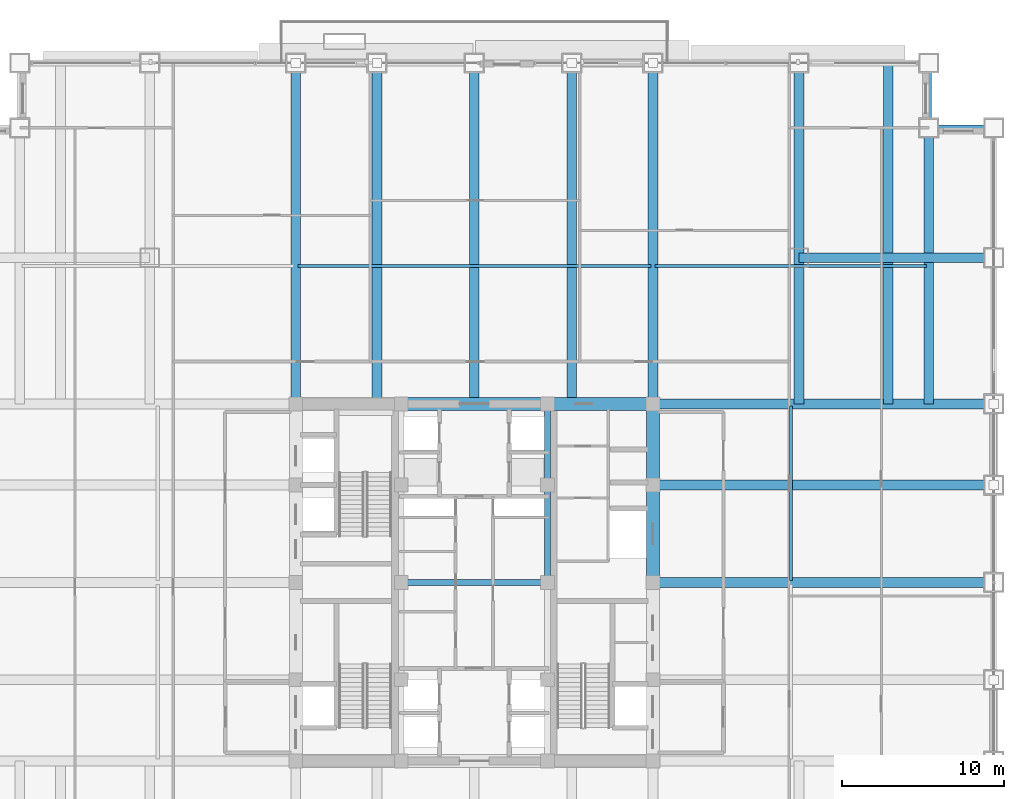
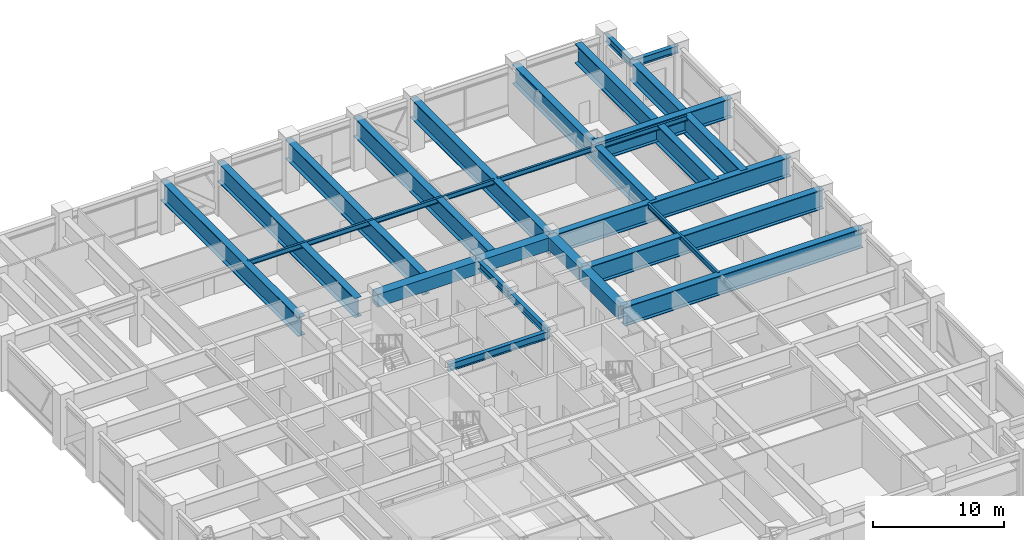
# One storey, part 13 of 34: 24 beams.
"""IFC4 building model written with IfcOpenShell, lengths in metres."""

from ifc_helpers import new_model, si_unit, direction, frame, origin, origin_2d, place, context, subcontext, project, spatial, rectangle, i_section, extrude, source, transform, mapped, material, material_profile, profile_set, type_object, element, save


model = new_model("IFC4")

# Units and contexts
model_context = context("Model", 3, precision=1e-05, world=origin(), true_north=direction((0.0, 1.0)))
body_context = subcontext(model_context, "Body", "Model", "MODEL_VIEW")
ifc_project = project(units=[si_unit("LENGTHUNIT", "METRE"), si_unit("AREAUNIT", "SQUARE_METRE"), si_unit("VOLUMEUNIT", "CUBIC_METRE"), si_unit("PLANEANGLEUNIT", "RADIAN"), si_unit("MASSUNIT", "GRAM", prefix="KILO")], contexts=[model_context])

# Site, building, storey
site_placement = place(None, origin())
site = spatial("IfcSite", under=ifc_project, at=site_placement, CompositionType="ELEMENT")
building_placement = place(site_placement, origin())
building = spatial("IfcBuilding", under=site, at=building_placement, Name="Khorayat Bourse Tower", CompositionType="ELEMENT")
storey_placement = place(building_placement, frame((0.0, 0.0, 144.699951171875)))
storey = spatial("IfcBuildingStorey", under=building, at=storey_placement, Name="L33", CompositionType="ELEMENT", Elevation=144.699951171875)

# Beams
ifc_material_1 = material(Name="Concrete C72/90", Category="concrete")
ifc_material_profile_1 = material_profile(ifc_material_1, rectangle(XDim=0.800048828125, YDim=1.199951171875, at=origin_2d()), Name="RC 800x1200")
ifc_profile_set_1 = profile_set([ifc_material_profile_1], Name="Concrete C72/90")
beam_type_1 = type_object("IfcBeamType", Name="BM-COUP-1200", PredefinedType="BEAM", material=ifc_profile_set_1)
shared_shape_1 = source(origin(), body_context, "Body", "SweptSolid", [
    extrude(rectangle(XDim=0.800048828125, YDim=1.199951171875, at=origin_2d()), origin(), (0.0, 0.0, 1.0), 5.0),
])
beam_1_placement = place(storey_placement, frame((11.0, 6.0, 4.0), z_axis=(0.0, 1.0, 0.0), x_axis=(-1.0, 0.0, 0.0)))
element("IfcBeam", 1, at=beam_1_placement, inside=storey, type_object=beam_type_1, Name="L33 BM-COUP-1200 BM-L33-CRX-16", PredefinedType="BEAM", context=body_context, shape_type="MappedRepresentation", body=[
    mapped(shared_shape_1, transform((0.0, 0.0, 0.0), scale=1.0)),
])
shared_shape_2 = source(origin(), body_context, "Body", "SweptSolid", [
    extrude(rectangle(XDim=0.800048828125, YDim=1.199951171875, at=origin_2d()), origin(), (0.0, 0.0, 1.0), 6.0),
])
beam_2_placement = place(storey_placement, frame((11.0, 0.0, 4.0), z_axis=(0.0, 1.0, 0.0), x_axis=(-1.0, 0.0, 0.0)))
element("IfcBeam", 2, at=beam_2_placement, inside=storey, type_object=beam_type_1, Name="L33 BM-COUP-1200 BM-L33-CRX-15", PredefinedType="BEAM", context=body_context, shape_type="MappedRepresentation", body=[
    mapped(shared_shape_2, transform((0.0, 0.0, 0.0), scale=1.0)),
])
ifc_material_2 = material(Name="Steel ASTM A992 Grade 50", Category="steel")
ifc_material_profile_2 = material_profile(ifc_material_2, i_section(OverallWidth=0.35498046875, OverallDepth=0.695068359375, WebThickness=0.015380859375, FlangeThickness=0.02490234375, FilletRadius=0.01806640625, at=origin_2d()), Name="W690X217")
ifc_profile_set_2 = profile_set([ifc_material_profile_2], Name="Steel ASTM A992 Grade 50")
beam_type_2 = type_object("IfcBeamType", Name="BM-GIRD-690", PredefinedType="BEAM", material=ifc_profile_set_2)
shared_shape_3 = source(origin(), body_context, "Body", "SweptSolid", [
    extrude(i_section(OverallWidth=0.35498046875, OverallDepth=0.695068359375, WebThickness=0.015380859375, FlangeThickness=0.02490234375, FilletRadius=0.01806640625, at=origin_2d()), origin(), (0.0, 0.0, 1.0), 5.0),
])
beam_3_placement = place(storey_placement, frame((4.5, 6.0, 4.25244140625), z_axis=(0.0, 1.0, 0.0), x_axis=(-1.0, 0.0, 0.0)))
element("IfcBeam", 3, at=beam_3_placement, inside=storey, type_object=beam_type_2, Name="L33 BM-GIRD-690 BM-L33-CRX-12", PredefinedType="BEAM", context=body_context, shape_type="MappedRepresentation", body=[
    mapped(shared_shape_3, transform((0.0, 0.0, 0.0), scale=1.0)),
])
shared_shape_4 = source(origin(), body_context, "Body", "SweptSolid", [
    extrude(i_section(OverallWidth=0.35498046875, OverallDepth=0.695068359375, WebThickness=0.015380859375, FlangeThickness=0.02490234375, FilletRadius=0.01806640625, at=origin_2d()), origin(), (0.0, 0.0, 1.0), 6.0),
])
beam_4_placement = place(storey_placement, frame((4.5, 0.0, 4.25244140625), z_axis=(0.0, 1.0, 0.0), x_axis=(-1.0, 0.0, 0.0)))
element("IfcBeam", 4, at=beam_4_placement, inside=storey, type_object=beam_type_2, Name="L33 BM-GIRD-690 BM-L33-CRX-11", PredefinedType="BEAM", context=body_context, shape_type="MappedRepresentation", body=[
    mapped(shared_shape_4, transform((0.0, 0.0, 0.0), scale=1.0)),
])
shared_shape_5 = source(origin(), body_context, "Body", "SweptSolid", [
    extrude(rectangle(XDim=0.800048828125, YDim=1.199951171875, at=origin_2d()), origin(), (0.0, 0.0, 1.0), 6.5),
])
beam_5_placement = place(storey_placement, frame((4.5, 11.0, 4.0), z_axis=(1.0, 0.0, 0.0), x_axis=(0.0, 1.0, 0.0)))
element("IfcBeam", 5, at=beam_5_placement, inside=storey, type_object=beam_type_1, Name="L33 BM-COUP-1200 BM-L33-CRY-22", PredefinedType="BEAM", context=body_context, shape_type="MappedRepresentation", body=[
    mapped(shared_shape_5, transform((0.0, 0.0, 0.0), scale=1.0)),
])
shared_shape_6 = source(origin(), body_context, "Body", "SweptSolid", [
    extrude(rectangle(XDim=0.800048828125, YDim=1.199951171875, at=origin_2d()), origin(), (0.0, 0.0, 1.0), 9.0),
])
beam_6_placement = place(storey_placement, frame((-4.5, 11.0, 4.0), z_axis=(1.0, 0.0, 0.0), x_axis=(0.0, 1.0, 0.0)))
element("IfcBeam", 6, at=beam_6_placement, inside=storey, type_object=beam_type_1, Name="L33 BM-COUP-1200 BM-L33-CRY-21", PredefinedType="BEAM", context=body_context, shape_type="MappedRepresentation", body=[
    mapped(shared_shape_6, transform((0.0, 0.0, 0.0), scale=1.0)),
])
shared_shape_7 = source(origin(), body_context, "Body", "SweptSolid", [
    extrude(i_section(OverallWidth=0.35498046875, OverallDepth=0.695068359375, WebThickness=0.015380859375, FlangeThickness=0.02490234375, FilletRadius=0.01806640625, at=origin_2d()), origin(), (0.0, 0.0, 1.0), 9.0),
])
beam_7_placement = place(storey_placement, frame((-4.5, 0.0, 4.25244140625), z_axis=(1.0, 0.0, 0.0), x_axis=(0.0, 1.0, 0.0)))
element("IfcBeam", 7, at=beam_7_placement, inside=storey, type_object=beam_type_2, Name="L33 BM-GIRD-690 BM-L33-CRY-23", PredefinedType="BEAM", context=body_context, shape_type="MappedRepresentation", body=[
    mapped(shared_shape_7, transform((0.0, 0.0, 0.0), scale=1.0)),
])
ifc_material_3 = material(Name="Steel EN 10025-4 S460M", Category="steel")
ifc_material_profile_3 = material_profile(ifc_material_3, i_section(OverallWidth=0.60009765625, OverallDepth=1.800048828125, WebThickness=0.031982421875, FlangeThickness=0.06005859375, at=origin_2d()), Name="PG 1800x600x32x60")
ifc_profile_set_3 = profile_set([ifc_material_profile_3], Name="Steel EN 10025-4 S460M")
beam_type_3 = type_object("IfcBeamType", Name="BM-TR-1800", PredefinedType="BEAM", material=ifc_profile_set_3)
shared_shape_8 = source(origin(), body_context, "Body", "SweptSolid", [
    extrude(i_section(OverallWidth=0.60009765625, OverallDepth=1.800048828125, WebThickness=0.031982421875, FlangeThickness=0.06005859375, at=origin_2d()), origin(), (0.0, 0.0, 1.0), 12.0),
])
beam_8_placement = place(storey_placement, frame((20.0, 20.0, 3.699951171875), z_axis=(1.0, 0.0, 0.0), x_axis=(0.0, 1.0, 0.0)))
element("IfcBeam", 8, at=beam_8_placement, inside=storey, type_object=beam_type_3, Name="L33 BM-TR-1800 BM-L33-CNRX-098", PredefinedType="BEAM", context=body_context, shape_type="MappedRepresentation", body=[
    mapped(shared_shape_8, transform((0.0, 0.0, 0.0), scale=1.0)),
])
ifc_material_profile_4 = material_profile(ifc_material_2, i_section(OverallWidth=0.194091796875, OverallDepth=0.468994140625, WebThickness=0.0126953125, FlangeThickness=0.0205078125, FilletRadius=0.012939453125, at=origin_2d()), Name="W460X106")
ifc_profile_set_4 = profile_set([ifc_material_profile_4], Name="Steel ASTM A992 Grade 50")
beam_type_4 = type_object("IfcBeamType", Name="BM-JOIST-460", PredefinedType="JOIST", material=ifc_profile_set_4)
shared_shape_9 = source(origin(), body_context, "Body", "SweptSolid", [
    extrude(i_section(OverallWidth=0.194091796875, OverallDepth=0.468994140625, WebThickness=0.0126953125, FlangeThickness=0.0205078125, FilletRadius=0.012939453125, at=origin_2d()), origin(), (0.0, 0.0, 1.0), 21.740234375),
])
beam_9_placement = place(storey_placement, frame((-10.8701171875, 19.5, 4.365478515625), z_axis=(1.0, 0.0, 0.0), x_axis=(0.0, 1.0, 0.0)))
element("IfcBeam", 9, at=beam_9_placement, inside=storey, type_object=beam_type_4, Name="L33 BM-JOIST-460 BM-L33-JSTX-108", PredefinedType="JOIST", context=body_context, shape_type="MappedRepresentation", body=[
    mapped(shared_shape_9, transform((0.0, 0.0, 0.0), scale=1.0)),
])
shared_shape_10 = source(origin(), body_context, "Body", "SweptSolid", [
    extrude(i_section(OverallWidth=0.194091796875, OverallDepth=0.468994140625, WebThickness=0.0126953125, FlangeThickness=0.0205078125, FilletRadius=0.012939453125, at=origin_2d()), origin(), (0.0, 0.0, 1.0), 10.740234375),
])
beam_10_placement = place(storey_placement, frame((19.5, 0.1298828125, 4.365478515625), z_axis=(0.0, 1.0, 0.0), x_axis=(-1.0, 0.0, 0.0)))
element("IfcBeam", 10, at=beam_10_placement, inside=storey, type_object=beam_type_4, Name="L33 BM-JOIST-460 BM-L33-JSTY-113", PredefinedType="JOIST", context=body_context, shape_type="MappedRepresentation", body=[
    mapped(shared_shape_10, transform((0.0, 0.0, 0.0), scale=1.0)),
])
ifc_material_profile_5 = material_profile(ifc_material_2, i_section(OverallWidth=0.35498046875, OverallDepth=0.695068359375, WebThickness=0.015380859375, FlangeThickness=0.02490234375, FilletRadius=0.01806640625, at=origin_2d()), Name="W690X217")
ifc_profile_set_5 = profile_set([ifc_material_profile_5], Name="Steel ASTM A992 Grade 50")
beam_type_5 = type_object("IfcBeamType", Name="BM-SPAN-690", PredefinedType="SPANDREL", material=ifc_profile_set_5)
shared_shape_11 = source(origin(), body_context, "Body", "SweptSolid", [
    extrude(i_section(OverallWidth=0.35498046875, OverallDepth=0.695068359375, WebThickness=0.015380859375, FlangeThickness=0.02490234375, FilletRadius=0.01806640625, at=origin_2d()), origin(), (0.0, 0.0, 1.0), 4.0),
])
for number, where, z_axis, x_axis, name in (
    (11, (28.0, 28.0, 4.25244140625), (1.0, 0.0, 0.0), (0.0, 1.0, 0.0), "L33 BM-SPAN-690 BM-L33-SPN-042"),
    (12, (28.0, 28.0, 4.25244140625), (0.0, 1.0, 0.0), (-1.0, 0.0, 0.0), "L33 BM-SPAN-690 BM-L33-SPN-043"),
):
    element("IfcBeam", number, at=place(storey_placement, frame(where, z_axis=z_axis, x_axis=x_axis)), inside=storey, type_object=beam_type_5, Name=name, PredefinedType="SPANDREL", context=body_context, shape_type="MappedRepresentation", body=[
        mapped(shared_shape_11, transform((0.0, 0.0, 0.0), scale=1.0)),
    ])
shared_shape_12 = source(origin(), body_context, "Body", "SweptSolid", [
    extrude(i_section(OverallWidth=0.194091796875, OverallDepth=0.468994140625, WebThickness=0.0126953125, FlangeThickness=0.0205078125, FilletRadius=0.012939453125, at=origin_2d()), origin(), (0.0, 0.0, 1.0), 16.740234375),
])
beam_11_placement = place(storey_placement, frame((11.1298828125, 19.5, 4.365478515625), z_axis=(1.0, 0.0, 0.0), x_axis=(0.0, 1.0, 0.0)))
element("IfcBeam", 13, at=beam_11_placement, inside=storey, type_object=beam_type_4, Name="L33 BM-JOIST-460 BM-L33-JSTX-109", PredefinedType="JOIST", context=body_context, shape_type="MappedRepresentation", body=[
    mapped(shared_shape_12, transform((0.0, 0.0, 0.0), scale=1.0)),
])
shared_shape_13 = source(origin(), body_context, "Body", "SweptSolid", [
    extrude(i_section(OverallWidth=0.60009765625, OverallDepth=1.800048828125, WebThickness=0.031982421875, FlangeThickness=0.06005859375, at=origin_2d()), origin(), (0.0, 0.0, 1.0), 21.0),
])
for number, where, z_axis, x_axis, name in (
    (14, (-11.0, 11.0, 3.699951171875), (0.0, 1.0, 0.0), (-1.0, 0.0, 0.0), "L33 BM-TR-1800 BM-L33-RADY-064"),
    (15, (-6.0, 11.0, 3.699951171875), (0.0, 1.0, 0.0), (-1.0, 0.0, 0.0), "L33 BM-TR-1800 BM-L33-RADY-066"),
    (16, (0.0, 11.0, 3.699951171875), (0.0, 1.0, 0.0), (-1.0, 0.0, 0.0), "L33 BM-TR-1800 BM-L33-RADY-068"),
    (17, (6.0, 11.0, 3.699951171875), (0.0, 1.0, 0.0), (-1.0, 0.0, 0.0), "L33 BM-TR-1800 BM-L33-RADY-070"),
    (18, (11.0, 11.0, 3.699951171875), (0.0, 1.0, 0.0), (-1.0, 0.0, 0.0), "L33 BM-TR-1800 BM-L33-RADY-072"),
    (19, (11.0, 0.0, 3.699951171875), (1.0, 0.0, 0.0), (0.0, 1.0, 0.0), "L33 BM-TR-1800 BM-L33-RADX-078"),
    (20, (11.0, 6.0, 3.699951171875), (1.0, 0.0, 0.0), (0.0, 1.0, 0.0), "L33 BM-TR-1800 BM-L33-RADX-080"),
    (21, (11.0, 11.0, 3.699951171875), (1.0, 0.0, 0.0), (0.0, 1.0, 0.0), "L33 BM-TR-1800 BM-L33-RADX-082"),
    (22, (20.0, 11.0, 3.699951171875), (0.0, 1.0, 0.0), (-1.0, 0.0, 0.0), "L33 BM-TR-1800 BM-L33-CNRY-087"),
    (23, (25.5, 11.0, 3.699951171875), (0.0, 1.0, 0.0), (-1.0, 0.0, 0.0), "L33 BM-TR-1800 BM-L33-CNRY-091"),
):
    element("IfcBeam", number, at=place(storey_placement, frame(where, z_axis=z_axis, x_axis=x_axis)), inside=storey, type_object=beam_type_3, Name=name, PredefinedType="BEAM", context=body_context, shape_type="MappedRepresentation", body=[
        mapped(shared_shape_13, transform((0.0, 0.0, 0.0), scale=1.0)),
    ])
shared_shape_14 = source(origin(), body_context, "Body", "SweptSolid", [
    extrude(i_section(OverallWidth=0.60009765625, OverallDepth=1.800048828125, WebThickness=0.031982421875, FlangeThickness=0.06005859375, at=origin_2d()), origin(), (0.0, 0.0, 1.0), 17.0),
])
beam_12_placement = place(storey_placement, frame((28.0, 11.0, 3.699951171875), z_axis=(0.0, 1.0, 0.0), x_axis=(-1.0, 0.0, 0.0)))
element("IfcBeam", 24, at=beam_12_placement, inside=storey, type_object=beam_type_3, Name="L33 BM-TR-1800 BM-L33-CNRY-095", PredefinedType="BEAM", context=body_context, shape_type="MappedRepresentation", body=[
    mapped(shared_shape_14, transform((0.0, 0.0, 0.0), scale=1.0)),
])

save(model, "model.ifc")
